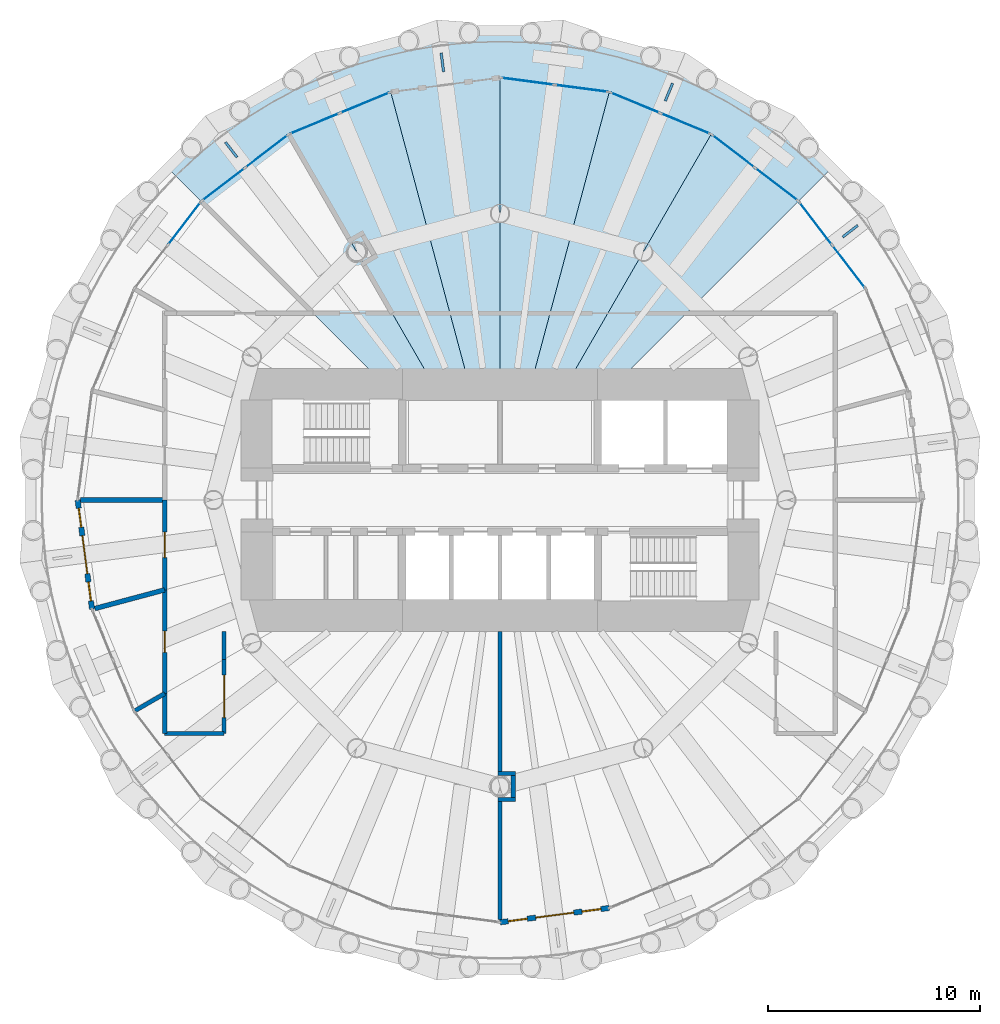
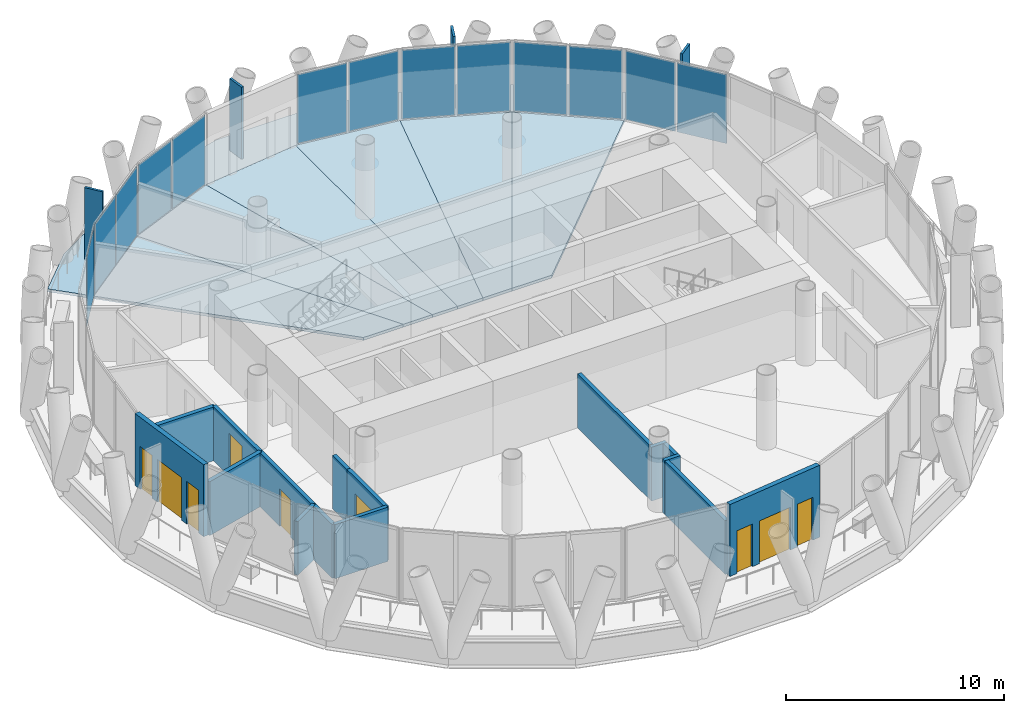
# One storey, part 9 of 16: 17 plates, 16 walls, 7 slabs, 5 doors, 4 windows, 9 openings, 7 elements without a shape of their own.
"""IFC4 building model written with IfcOpenShell, lengths in metres."""

from ifc_helpers import new_model, si_unit, direction, frame, frame_2d, origin, origin_2d, place, context, subcontext, project, spatial, polyline, rectangle, outline, extrude, material, layer, layer_set, type_object, element, fill, aggregate, save


model = new_model("IFC4")

# Units and contexts
model_context = context("Model", 3, precision=1e-05, world=origin(), true_north=direction((0.0, 1.0)))
body_context = subcontext(model_context, "Body", "Model", "MODEL_VIEW")
ifc_project = project(units=[si_unit("LENGTHUNIT", "METRE"), si_unit("AREAUNIT", "SQUARE_METRE"), si_unit("VOLUMEUNIT", "CUBIC_METRE"), si_unit("PLANEANGLEUNIT", "RADIAN"), si_unit("MASSUNIT", "GRAM", prefix="KILO")], contexts=[model_context])

# Site, building, storey
site_placement = place(None, origin())
site = spatial("IfcSite", under=ifc_project, at=site_placement, CompositionType="ELEMENT")
building_placement = place(site_placement, origin())
building = spatial("IfcBuilding", under=site, at=building_placement, Name="Qaws Media Tower", CompositionType="ELEMENT")
storey_placement = place(building_placement, frame((0.0, 0.0, 252.800048828125)))
storey = spatial("IfcBuildingStorey", under=building, at=storey_placement, Name="L58", CompositionType="ELEMENT", Elevation=252.800048828125)

# Slabs
ifc_material_1 = material(Name="Concrete C35/45", Category="concrete")
ifc_layer_1 = layer(ifc_material_1, 0.159912109375)
ifc_layer_set_1 = layer_set([ifc_layer_1], Name="Composite balcony slab 160")
slab_type_1 = type_object("IfcSlabType", Name="Composite balcony slab 160", PredefinedType="FLOOR", material=ifc_layer_set_1)
slab_1_placement = place(storey_placement, frame((0.0, 0.0, -0.16015625)))
element("IfcSlab", 1, at=slab_1_placement, inside=storey, type_object=slab_type_1, Name="S2 balcony slab L58 R04 to R10, movement joints on R04 and R10", PredefinedType="FLOOR", context=body_context, shape_type="SweptSolid", body=[
    extrude(outline(polyline([(46.424560546875, 67.69189453125), (51.46630859375, 70.6025390625), (57.08935546875, 72.109130859375), (62.91064453125, 72.109130859375), (68.53369140625, 70.6025390625), (73.575439453125, 67.69189453125), (75.633544921875, 65.633544921875), (74.0712890625, 64.0712890625), (69.949951171875, 67.23388671875), (65.150390625, 69.221923828125), (60.0, 69.89990234375), (54.849609375, 69.221923828125), (50.050048828125, 67.23388671875), (45.9287109375, 64.0712890625), (44.366455078125, 65.633544921875), (46.424560546875, 67.69189453125)])), origin(), (0.0, 0.0, 1.0), 0.16015625),
])
ifc_material_2 = material(Name="Concrete C35/45", Category="concrete")
ifc_layer_2 = layer(ifc_material_2, 0.159912109375)
ifc_layer_set_2 = layer_set([ifc_layer_2], Name="Composite floor slab 160")
slab_type_2 = type_object("IfcSlabType", Name="Composite floor slab 160", PredefinedType="FLOOR", material=ifc_layer_set_2)
slab_2_placement = place(storey_placement, frame((0.0, 0.0, -0.16015625)))
element("IfcSlab", 2, at=slab_2_placement, inside=storey, type_object=slab_type_2, Name="S1 floor panel L58 on R04+7.5", PredefinedType="FLOOR", context=body_context, shape_type="SweptSolid", body=[
    extrude(outline(polyline([(74.0712890625, 64.0712890625), (65.0, 55.0), (62.88671875, 55.0), (69.949951171875, 67.23388671875), (74.0712890625, 64.0712890625)])), origin(), (0.0, 0.0, 1.0), 0.16015625),
])
slab_3_placement = place(storey_placement, frame((0.0, 0.0, -0.16015625)))
element("IfcSlab", 3, at=slab_3_placement, inside=storey, type_object=slab_type_2, Name="S1 floor panel L58 on R05+7.5", PredefinedType="FLOOR", context=body_context, shape_type="SweptSolid", body=[
    extrude(outline(polyline([(69.949951171875, 67.23388671875), (62.88671875, 55.0), (61.339599609375, 55.0), (65.150390625, 69.221923828125), (69.949951171875, 67.23388671875)])), origin(), (0.0, 0.0, 1.0), 0.16015625),
])
slab_4_placement = place(storey_placement, frame((0.0, 0.0, -0.16015625)))
element("IfcSlab", 4, at=slab_4_placement, inside=storey, type_object=slab_type_2, Name="S1 floor panel L58 on R06+7.5", PredefinedType="FLOOR", context=body_context, shape_type="SweptSolid", body=[
    extrude(outline(polyline([(65.150390625, 69.221923828125), (61.339599609375, 55.0), (60.0, 55.0), (60.0, 69.89990234375), (65.150390625, 69.221923828125)])), origin(), (0.0, 0.0, 1.0), 0.16015625),
])
slab_5_placement = place(storey_placement, frame((0.0, 0.0, -0.16015625)))
element("IfcSlab", 5, at=slab_5_placement, inside=storey, type_object=slab_type_2, Name="S1 floor panel L58 on R07+7.5", PredefinedType="FLOOR", context=body_context, shape_type="SweptSolid", body=[
    extrude(outline(polyline([(54.849609375, 69.221923828125), (60.0, 69.89990234375), (60.0, 55.0), (58.660400390625, 55.0), (54.849609375, 69.221923828125)])), origin(), (0.0, 0.0, 1.0), 0.16015625),
])
slab_6_placement = place(storey_placement, frame((0.0, 0.0, -0.16015625)))
element("IfcSlab", 6, at=slab_6_placement, inside=storey, type_object=slab_type_2, Name="S1 floor panel L58 on R08+7.5", PredefinedType="FLOOR", context=body_context, shape_type="SweptSolid", body=[
    extrude(outline(polyline([(50.050048828125, 67.23388671875), (54.849609375, 69.221923828125), (58.660400390625, 55.0), (57.11328125, 55.0), (50.050048828125, 67.23388671875)])), origin(), (0.0, 0.0, 1.0), 0.16015625),
])
slab_7_placement = place(storey_placement, frame((0.0, 0.0, -0.16015625)))
element("IfcSlab", 7, at=slab_7_placement, inside=storey, type_object=slab_type_2, Name="S1 floor panel L58 on R09+7.5", PredefinedType="FLOOR", context=body_context, shape_type="SweptSolid", body=[
    extrude(outline(polyline([(50.050048828125, 67.23388671875), (57.11328125, 55.0), (55.0, 55.0), (45.9287109375, 64.0712890625), (50.050048828125, 67.23388671875)])), origin(), (0.0, 0.0, 1.0), 0.16015625),
])

# Curtain wall, plates
ifc_material_3 = material(Name="Aluminium and clear glass", Category="aluminium")
curtain_wall_type = type_object("IfcCurtainWallType", Name="Unitised curtain wall CW-C", PredefinedType="NOTDEFINED", material=ifc_material_3)
curtain_wall_1_placement = place(storey_placement, origin())
curtain_wall_1 = element("IfcCurtainWall", 8, at=curtain_wall_1_placement, inside=storey, type_object=curtain_wall_type, Name="CWC curtain wall L58-03", PredefinedType="NOTDEFINED")
ifc_material_4 = material(Name="Clear laminated double glazing", Category="glass")
ifc_layer_3 = layer(ifc_material_4, 0.031982421875)
ifc_layer_set_3 = layer_set([ifc_layer_3], Name="Curtain wall glass unit 32")
plate_type_1 = type_object("IfcPlateType", Name="Curtain wall glass unit 32", PredefinedType="CURTAIN_PANEL", material=ifc_layer_set_3)
plate_1_placement = place(storey_placement, frame((76.43115234375, 60.996337890625, 0.080078125), z_axis=(0.0, 0.0, 1.0), x_axis=(-0.608761473664, 0.793353306026, 0.0)))
plate_1 = element("IfcPlate", 9, at=plate_1_placement, type_object=plate_type_1, Name="CWC panel 1.1", PredefinedType="CURTAIN_PANEL", context=body_context, shape_type="SweptSolid", body=[
    extrude(rectangle(XDim=2.4775390625, YDim=0.031982421875, at=origin_2d()), origin(), (0.0, 0.0, 1.0), 3.8798828125),
])
plate_2_placement = place(storey_placement, frame((74.874267578125, 63.025146484375, 0.080078125), z_axis=(0.0, 0.0, 1.0), x_axis=(-0.608761473664, 0.793353306026, 0.0)))
plate_2 = element("IfcPlate", 10, at=plate_2_placement, type_object=plate_type_1, Name="CWC panel 2.1", PredefinedType="CURTAIN_PANEL", context=body_context, shape_type="SweptSolid", body=[
    extrude(rectangle(XDim=2.4775390625, YDim=0.031982421875, at=origin_2d()), origin(), (0.0, 0.0, 1.0), 3.8798828125),
])
aggregate(curtain_wall_1, [plate_1, plate_2])

curtain_wall_2_placement = place(storey_placement, origin())
curtain_wall_2 = element("IfcCurtainWall", 11, at=curtain_wall_2_placement, inside=storey, type_object=curtain_wall_type, Name="CWC curtain wall L58-04", PredefinedType="NOTDEFINED")
plate_3_placement = place(storey_placement, frame((73.025146484375, 64.874267578125, 0.080078125), z_axis=(0.0, 0.0, 1.0), x_axis=(-0.793353306026, 0.608761473664, 0.0)))
plate_3 = element("IfcPlate", 12, at=plate_3_placement, type_object=plate_type_1, Name="CWC panel 1.1", PredefinedType="CURTAIN_PANEL", context=body_context, shape_type="SweptSolid", body=[
    extrude(rectangle(XDim=2.4775390625, YDim=0.031982421875, at=origin_2d()), origin(), (0.0, 0.0, 1.0), 3.8798828125),
])
plate_4_placement = place(storey_placement, frame((70.996337890625, 66.43115234375, 0.080078125), z_axis=(0.0, 0.0, 1.0), x_axis=(-0.793353306026, 0.608761473664, 0.0)))
plate_4 = element("IfcPlate", 13, at=plate_4_placement, type_object=plate_type_1, Name="CWC panel 2.1", PredefinedType="CURTAIN_PANEL", context=body_context, shape_type="SweptSolid", body=[
    extrude(rectangle(XDim=2.4775390625, YDim=0.031982421875, at=origin_2d()), origin(), (0.0, 0.0, 1.0), 3.8798828125),
])
aggregate(curtain_wall_2, [plate_3, plate_4])

curtain_wall_3_placement = place(storey_placement, origin())
curtain_wall_3 = element("IfcCurtainWall", 14, at=curtain_wall_3_placement, inside=storey, type_object=curtain_wall_type, Name="CWC curtain wall L58-05", PredefinedType="NOTDEFINED")
plate_5_placement = place(storey_placement, frame((68.731689453125, 67.738525390625, 0.080078125), z_axis=(0.0, 0.0, 1.0), x_axis=(-0.923879560196, 0.382683365528, 0.0)))
plate_5 = element("IfcPlate", 15, at=plate_5_placement, type_object=plate_type_1, Name="CWC panel 1.1", PredefinedType="CURTAIN_PANEL", context=body_context, shape_type="SweptSolid", body=[
    extrude(rectangle(XDim=2.4775390625, YDim=0.031982421875, at=origin_2d()), origin(), (0.0, 0.0, 1.0), 3.8798828125),
])
plate_6_placement = place(storey_placement, frame((66.368896484375, 68.71728515625, 0.080078125), z_axis=(0.0, 0.0, 1.0), x_axis=(-0.923879560196, 0.382683365528, 0.0)))
plate_6 = element("IfcPlate", 16, at=plate_6_placement, type_object=plate_type_1, Name="CWC panel 2.1", PredefinedType="CURTAIN_PANEL", context=body_context, shape_type="SweptSolid", body=[
    extrude(rectangle(XDim=2.4775390625, YDim=0.031982421875, at=origin_2d()), origin(), (0.0, 0.0, 1.0), 3.8798828125),
])
aggregate(curtain_wall_3, [plate_5, plate_6])

curtain_wall_4_placement = place(storey_placement, origin())
curtain_wall_4 = element("IfcCurtainWall", 17, at=curtain_wall_4_placement, inside=storey, type_object=curtain_wall_type, Name="CWC curtain wall L58-06", PredefinedType="NOTDEFINED")
plate_7_placement = place(storey_placement, frame((63.843017578125, 69.39404296875, 0.080078125), z_axis=(0.0, 0.0, 1.0), x_axis=(-0.991444862798, 0.130526181405, 0.0)))
plate_7 = element("IfcPlate", 18, at=plate_7_placement, type_object=plate_type_1, Name="CWC panel 1.1", PredefinedType="CURTAIN_PANEL", context=body_context, shape_type="SweptSolid", body=[
    extrude(rectangle(XDim=2.4775390625, YDim=0.031982421875, at=origin_2d()), origin(), (0.0, 0.0, 1.0), 3.8798828125),
])
plate_8_placement = place(storey_placement, frame((61.307373046875, 69.727783203125, 0.080078125), z_axis=(0.0, 0.0, 1.0), x_axis=(-0.991444862798, 0.130526181405, 0.0)))
plate_8 = element("IfcPlate", 19, at=plate_8_placement, type_object=plate_type_1, Name="CWC panel 2.1", PredefinedType="CURTAIN_PANEL", context=body_context, shape_type="SweptSolid", body=[
    extrude(rectangle(XDim=2.4775390625, YDim=0.031982421875, at=origin_2d()), origin(), (0.0, 0.0, 1.0), 3.8798828125),
])
aggregate(curtain_wall_4, [plate_7, plate_8])

curtain_wall_5_placement = place(storey_placement, origin())
curtain_wall_5 = element("IfcCurtainWall", 20, at=curtain_wall_5_placement, inside=storey, type_object=curtain_wall_type, Name="CWC curtain wall L58-08", PredefinedType="NOTDEFINED")
plate_9_placement = place(storey_placement, frame((53.631103515625, 68.71728515625, 0.080078125), z_axis=(0.0, 0.0, 1.0), x_axis=(-0.923879560196, -0.382683365528, 0.0)))
plate_9 = element("IfcPlate", 21, at=plate_9_placement, type_object=plate_type_1, Name="CWC panel 1.1", PredefinedType="CURTAIN_PANEL", context=body_context, shape_type="SweptSolid", body=[
    extrude(rectangle(XDim=2.4775390625, YDim=0.031982421875, at=origin_2d()), origin(), (0.0, 0.0, 1.0), 3.8798828125),
])
plate_10_placement = place(storey_placement, frame((51.268310546875, 67.738525390625, 0.080078125), z_axis=(0.0, 0.0, 1.0), x_axis=(-0.923879560196, -0.382683365528, 0.0)))
plate_10 = element("IfcPlate", 22, at=plate_10_placement, type_object=plate_type_1, Name="CWC panel 2.1", PredefinedType="CURTAIN_PANEL", context=body_context, shape_type="SweptSolid", body=[
    extrude(rectangle(XDim=2.4775390625, YDim=0.031982421875, at=origin_2d()), origin(), (0.0, 0.0, 1.0), 3.8798828125),
])
aggregate(curtain_wall_5, [plate_9, plate_10])

curtain_wall_6_placement = place(storey_placement, origin())
curtain_wall_6 = element("IfcCurtainWall", 23, at=curtain_wall_6_placement, inside=storey, type_object=curtain_wall_type, Name="CWC curtain wall L58-09", PredefinedType="NOTDEFINED")
plate_11_placement = place(storey_placement, frame((49.003662109375, 66.43115234375, 0.080078125), z_axis=(0.0, 0.0, 1.0), x_axis=(-0.793353306026, -0.608761473664, 0.0)))
plate_11 = element("IfcPlate", 24, at=plate_11_placement, type_object=plate_type_1, Name="CWC panel 1.1", PredefinedType="CURTAIN_PANEL", context=body_context, shape_type="SweptSolid", body=[
    extrude(rectangle(XDim=2.4775390625, YDim=0.031982421875, at=origin_2d()), origin(), (0.0, 0.0, 1.0), 3.8798828125),
])
plate_12_placement = place(storey_placement, frame((46.974853515625, 64.874267578125, 0.080078125), z_axis=(0.0, 0.0, 1.0), x_axis=(-0.793353306026, -0.608761473664, 0.0)))
plate_12 = element("IfcPlate", 25, at=plate_12_placement, type_object=plate_type_1, Name="CWC panel 2.1", PredefinedType="CURTAIN_PANEL", context=body_context, shape_type="SweptSolid", body=[
    extrude(rectangle(XDim=2.4775390625, YDim=0.031982421875, at=origin_2d()), origin(), (0.0, 0.0, 1.0), 3.8798828125),
])
aggregate(curtain_wall_6, [plate_11, plate_12])

# Curtain wall, plate
curtain_wall_7_placement = place(storey_placement, origin())
curtain_wall_7 = element("IfcCurtainWall", 26, at=curtain_wall_7_placement, inside=storey, type_object=curtain_wall_type, Name="CWC curtain wall L58-10", PredefinedType="NOTDEFINED")
plate_13_placement = place(storey_placement, frame((45.125732421875, 63.025146484375, 0.080078125), z_axis=(0.0, 0.0, 1.0), x_axis=(-0.608761473664, -0.793353306026, 0.0)))
plate_13 = element("IfcPlate", 27, at=plate_13_placement, type_object=plate_type_1, Name="CWC panel 1.1", PredefinedType="CURTAIN_PANEL", context=body_context, shape_type="SweptSolid", body=[
    extrude(rectangle(XDim=2.4775390625, YDim=0.031982421875, at=origin_2d()), origin(), (0.0, 0.0, 1.0), 3.8798828125),
])
aggregate(curtain_wall_7, [plate_13])

# Plates
ifc_material_5 = material(Name="Precast concrete screen fin", Category="concrete")
ifc_layer_4 = layer(ifc_material_5, 0.1201171875)
ifc_layer_set_4 = layer_set([ifc_layer_4], Name="Screen fin 120x900")
plate_type_2 = type_object("IfcPlateType", Name="Screen fin 120x900", PredefinedType="USERDEFINED", material=ifc_layer_set_4)
for number, where, z_axis, x_axis, name in (
    (28, (76.501708984375, 62.662353515625, 0.0), (0.0, 0.0, 1.0), (0.793353340291, 0.608761429009, 0.0), "SCR1 screen fin L58-02"),
    (29, (67.959716796875, 69.216796875, 0.0), (0.0, 0.0, 1.0), (0.382683432365, 0.923879532511, 0.0), "SCR1 screen fin L58-03"),
    (30, (57.28515625, 70.6220703125, 0.0), (0.0, 0.0, 1.0), (-0.13052619222, 0.991444861374, 0.0), "SCR1 screen fin L58-04"),
    (31, (47.337646484375, 66.501708984375, 0.0), (0.0, 0.0, 1.0), (-0.608761429009, 0.793353340291, 0.0), "SCR1 screen fin L58-05"),
):
    element("IfcPlate", number, at=place(storey_placement, frame(where, z_axis=z_axis, x_axis=x_axis)), inside=storey, type_object=plate_type_2, Name=name, ObjectType="SCREEN", PredefinedType="USERDEFINED", context=body_context, shape_type="SweptSolid", body=[
        extrude(rectangle(XDim=0.89990234375, YDim=0.1201171875, at=origin_2d()), origin(), (0.0, 0.0, 1.0), 4.0400390625),
    ])

# Walls
ifc_material_6 = material(Name="Twin metal stud frames, two layers gypsum board each side, insulated, Rw 55", Category="gypsum")
ifc_layer_5 = layer(ifc_material_6, 0.22509765625)
ifc_layer_set_5 = layer_set([ifc_layer_5], Name="Acoustic twin-stud partition 225 Rw 55")
wall_type_1 = type_object("IfcWallType", Name="Acoustic twin-stud partition 225 Rw 55", PredefinedType="PARTITIONING", material=ifc_layer_set_5)
wall_1_placement = place(storey_placement, frame((44.199951171875, 50.0, 0.0), z_axis=(0.0, 0.0, 1.0), x_axis=(-1.0, 0.0, 0.0)))
element("IfcWall", 32, at=wall_1_placement, inside=storey, type_object=wall_type_1, Name="W090 IW6 partition L58", PredefinedType="PARTITIONING", context=body_context, shape_type="SweptSolid", body=[
    extrude(rectangle(XDim=3.9599609375, YDim=0.22509765625, at=frame_2d((1.97998046875, 0.0))), origin(), (0.0, 0.0, 1.0), 3.02001953125),
])
wall_2_placement = place(storey_placement, frame((44.197509765625, 45.765625, 0.0), z_axis=(0.0, 0.0, 1.0), x_axis=(-0.965933949521, -0.258788726886, 0.0)))
element("IfcWall", 33, at=wall_2_placement, inside=storey, type_object=wall_type_1, Name="W089 IW6 partition L58", PredefinedType="PARTITIONING", context=body_context, shape_type="SweptSolid", body=[
    extrude(rectangle(XDim=3.39990234375, YDim=0.22509765625, at=frame_2d((1.699951171875, 0.0))), origin(), (0.0, 0.0, 1.0), 3.02001953125),
])

# Wall, openings, door, windows
ifc_material_7 = material(Name="Precast concrete, exposed finish", Category="concrete")
ifc_layer_6 = layer(ifc_material_7, 0.25)
ifc_layer_set_6 = layer_set([ifc_layer_6], Name="Balcony door wall 250")
wall_type_2 = type_object("IfcWallType", Name="Balcony door wall 250", PredefinedType="SOLIDWALL", material=ifc_layer_set_6)
wall_3_placement = place(storey_placement, frame((40.10009765625, 50.0, 0.0), z_axis=(0.0, 0.0, 1.0), x_axis=(0.130510435174, -0.991446935701, 0.0)))
wall_3 = element("IfcWall", 34, at=wall_3_placement, inside=storey, type_object=wall_type_2, Name="W268 EW1 balcony door wall L58-13", PredefinedType="SOLIDWALL", context=body_context, shape_type="SweptSolid", body=[
    extrude(rectangle(XDim=5.19482421875, YDim=0.25, at=frame_2d((2.597412109375, 0.0))), origin(), (0.0, 0.0, 1.0), 4.0400390625),
])
opening_1_placement = place(wall_3_placement, frame((1.697509765625, 0.0, 0.0)))
opening_1 = element("IfcOpeningElement", 35, at=opening_1_placement, cuts=wall_3, Name="Opening D7", PredefinedType="OPENING", context=body_context, shape_type="SweptSolid", body=[
    extrude(rectangle(XDim=1.800048828125, YDim=2.39990234375, at=frame_2d((0.89990234375, 1.199951171875))), frame((0.0, 0.135009765625, 0.0), z_axis=(0.0, -1.0, 0.0), x_axis=(1.0, 0.0, 0.0)), (0.0, 0.0, 1.0), 0.27001953125),
])
opening_2_placement = place(wall_3_placement, frame((0.3974609375, 0.0, 0.0)))
opening_2 = element("IfcOpeningElement", 36, at=opening_2_placement, cuts=wall_3, Name="Opening W7", PredefinedType="OPENING", context=body_context, shape_type="SweptSolid", body=[
    extrude(rectangle(XDim=0.89990234375, YDim=2.39990234375, at=frame_2d((0.449951171875, 1.199951171875))), frame((0.0, 0.135009765625, 0.0), z_axis=(0.0, -1.0, 0.0), x_axis=(1.0, 0.0, 0.0)), (0.0, 0.0, 1.0), 0.27001953125),
])
opening_3_placement = place(wall_3_placement, frame((3.8974609375, 0.0, 0.0)))
opening_3 = element("IfcOpeningElement", 37, at=opening_3_placement, cuts=wall_3, Name="Opening W7", PredefinedType="OPENING", context=body_context, shape_type="SweptSolid", body=[
    extrude(rectangle(XDim=0.89990234375, YDim=2.39990234375, at=frame_2d((0.449951171875, 1.199951171875))), frame((0.0, 0.135009765625, 0.0), z_axis=(0.0, -1.0, 0.0), x_axis=(1.0, 0.0, 0.0)), (0.0, 0.0, 1.0), 0.27001953125),
])
ifc_material_8 = material(Name="Aluminium and clear glass", Category="aluminium")
door_type_1 = type_object("IfcDoorType", Name="Balcony door pair 1800", OperationType="DOUBLE_DOOR_SLIDING", PredefinedType="DOOR", material=ifc_material_8)
door_1_placement = place(opening_1_placement, origin())
door_1 = element("IfcDoor", 38, at=door_1_placement, inside=storey, type_object=door_type_1, Name="D7 balcony door L58-13 in wall W268", OperationType="DOUBLE_DOOR_SLIDING", OverallHeight=2.39990234375, OverallWidth=1.800048828125, PredefinedType="DOOR", context=body_context, shape_type="SweptSolid", body=[
    extrude(rectangle(XDim=1.800048828125, YDim=2.39990234375, at=frame_2d((0.89990234375, 1.199951171875))), frame((0.0, 0.02490234375, 0.0), z_axis=(0.0, -1.0, 0.0), x_axis=(1.0, 0.0, 0.0)), (0.0, 0.0, 1.0), 0.050048828125),
])
fill(opening_1, door_1)
ifc_material_9 = material(Name="Aluminium and clear glass", Category="aluminium")
window_type = type_object("IfcWindowType", Name="Balcony side window 900", PartitioningType="SINGLE_PANEL", PredefinedType="WINDOW", material=ifc_material_9)
window_1_placement = place(opening_2_placement, origin())
window_1 = element("IfcWindow", 39, at=window_1_placement, inside=storey, type_object=window_type, Name="W1 balcony side light L58-13L", OverallHeight=2.39990234375, OverallWidth=0.89990234375, PartitioningType="SINGLE_PANEL", PredefinedType="WINDOW", context=body_context, shape_type="SweptSolid", body=[
    extrude(rectangle(XDim=0.89990234375, YDim=2.39990234375, at=frame_2d((0.449951171875, 1.199951171875))), frame((0.0, 0.030029296875, 0.0), z_axis=(0.0, -1.0, 0.0), x_axis=(1.0, 0.0, 0.0)), (0.0, 0.0, 1.0), 0.06005859375),
])
fill(opening_2, window_1)
window_2_placement = place(opening_3_placement, origin())
window_2 = element("IfcWindow", 40, at=window_2_placement, inside=storey, type_object=window_type, Name="W1 balcony side light L58-13R", OverallHeight=2.39990234375, OverallWidth=0.89990234375, PartitioningType="SINGLE_PANEL", PredefinedType="WINDOW", context=body_context, shape_type="SweptSolid", body=[
    extrude(rectangle(XDim=0.89990234375, YDim=2.39990234375, at=frame_2d((0.449951171875, 1.199951171875))), frame((0.0, 0.030029296875, 0.0), z_axis=(0.0, -1.0, 0.0), x_axis=(1.0, 0.0, 0.0)), (0.0, 0.0, 1.0), 0.06005859375),
])
fill(opening_3, window_2)

wall_4_placement = place(storey_placement, frame((60.0, 30.10009765625, 0.0), z_axis=(0.0, 0.0, 1.0), x_axis=(0.991446935701, 0.130510435174, 0.0)))
wall_4 = element("IfcWall", 41, at=wall_4_placement, inside=storey, type_object=wall_type_2, Name="W269 EW1 balcony door wall L58-19", PredefinedType="SOLIDWALL", context=body_context, shape_type="SweptSolid", body=[
    extrude(rectangle(XDim=5.19482421875, YDim=0.25, at=frame_2d((2.597412109375, 0.0))), origin(), (0.0, 0.0, 1.0), 4.0400390625),
])
opening_4_placement = place(wall_4_placement, frame((1.697509765625, 0.0, 0.0)))
opening_4 = element("IfcOpeningElement", 42, at=opening_4_placement, cuts=wall_4, Name="Opening D7", PredefinedType="OPENING", context=body_context, shape_type="SweptSolid", body=[
    extrude(rectangle(XDim=1.800048828125, YDim=2.39990234375, at=frame_2d((0.89990234375, 1.199951171875))), frame((0.0, 0.135009765625, 0.0), z_axis=(0.0, -1.0, 0.0), x_axis=(1.0, 0.0, 0.0)), (0.0, 0.0, 1.0), 0.27001953125),
])
opening_5_placement = place(wall_4_placement, frame((0.3974609375, 0.0, 0.0)))
opening_5 = element("IfcOpeningElement", 43, at=opening_5_placement, cuts=wall_4, Name="Opening W7", PredefinedType="OPENING", context=body_context, shape_type="SweptSolid", body=[
    extrude(rectangle(XDim=0.89990234375, YDim=2.39990234375, at=frame_2d((0.449951171875, 1.199951171875))), frame((0.0, 0.135009765625, 0.0), z_axis=(0.0, -1.0, 0.0), x_axis=(1.0, 0.0, 0.0)), (0.0, 0.0, 1.0), 0.27001953125),
])
opening_6_placement = place(wall_4_placement, frame((3.8974609375, 0.0, 0.0)))
opening_6 = element("IfcOpeningElement", 44, at=opening_6_placement, cuts=wall_4, Name="Opening W7", PredefinedType="OPENING", context=body_context, shape_type="SweptSolid", body=[
    extrude(rectangle(XDim=0.89990234375, YDim=2.39990234375, at=frame_2d((0.449951171875, 1.199951171875))), frame((0.0, 0.135009765625, 0.0), z_axis=(0.0, -1.0, 0.0), x_axis=(1.0, 0.0, 0.0)), (0.0, 0.0, 1.0), 0.27001953125),
])
door_2_placement = place(opening_4_placement, origin())
door_2 = element("IfcDoor", 45, at=door_2_placement, inside=storey, type_object=door_type_1, Name="D7 balcony door L58-19 in wall W269", OperationType="DOUBLE_DOOR_SLIDING", OverallHeight=2.39990234375, OverallWidth=1.800048828125, PredefinedType="DOOR", context=body_context, shape_type="SweptSolid", body=[
    extrude(rectangle(XDim=1.800048828125, YDim=2.39990234375, at=frame_2d((0.89990234375, 1.199951171875))), frame((0.0, 0.02490234375, 0.0), z_axis=(0.0, -1.0, 0.0), x_axis=(1.0, 0.0, 0.0)), (0.0, 0.0, 1.0), 0.050048828125),
])
fill(opening_4, door_2)
window_3_placement = place(opening_5_placement, origin())
window_3 = element("IfcWindow", 46, at=window_3_placement, inside=storey, type_object=window_type, Name="W1 balcony side light L58-19L", OverallHeight=2.39990234375, OverallWidth=0.89990234375, PartitioningType="SINGLE_PANEL", PredefinedType="WINDOW", context=body_context, shape_type="SweptSolid", body=[
    extrude(rectangle(XDim=0.89990234375, YDim=2.39990234375, at=frame_2d((0.449951171875, 1.199951171875))), frame((0.0, 0.030029296875, 0.0), z_axis=(0.0, -1.0, 0.0), x_axis=(1.0, 0.0, 0.0)), (0.0, 0.0, 1.0), 0.06005859375),
])
fill(opening_5, window_3)
window_4_placement = place(opening_6_placement, origin())
window_4 = element("IfcWindow", 47, at=window_4_placement, inside=storey, type_object=window_type, Name="W1 balcony side light L58-19R", OverallHeight=2.39990234375, OverallWidth=0.89990234375, PartitioningType="SINGLE_PANEL", PredefinedType="WINDOW", context=body_context, shape_type="SweptSolid", body=[
    extrude(rectangle(XDim=0.89990234375, YDim=2.39990234375, at=frame_2d((0.449951171875, 1.199951171875))), frame((0.0, 0.030029296875, 0.0), z_axis=(0.0, -1.0, 0.0), x_axis=(1.0, 0.0, 0.0)), (0.0, 0.0, 1.0), 0.06005859375),
])
fill(opening_6, window_4)

# Wall
ifc_material_10 = material(Name="Gypsum board on galvanised metal studs, acoustic double stud, deflection head", Category="gypsum")
ifc_layer_7 = layer(ifc_material_10, 0.199951171875)
ifc_layer_set_7 = layer_set([ifc_layer_7], Name="Room partition 200")
wall_type_3 = type_object("IfcWallType", Name="Room partition 200", PredefinedType="PARTITIONING", material=ifc_layer_set_7)
wall_5_placement = place(storey_placement, frame((47.0, 43.800048828125, 0.0), z_axis=(0.0, 0.0, 1.0), x_axis=(0.0, -1.0, 0.0)))
element("IfcWall", 48, at=wall_5_placement, inside=storey, type_object=wall_type_3, Name="W1600 IW3 partition L58", PredefinedType="PARTITIONING", context=body_context, shape_type="SweptSolid", body=[
    extrude(rectangle(XDim=1.3056640625, YDim=0.199951171875, at=frame_2d((0.65283203125, 0.0))), origin(), (0.0, 0.0, 1.0), 3.02001953125),
])

# Wall, opening, door
wall_6_placement = place(storey_placement, frame((47.0, 42.494384765625, 0.0), z_axis=(0.0, 0.0, 1.0), x_axis=(0.0, -1.0, 0.0)))
wall_6 = element("IfcWall", 49, at=wall_6_placement, inside=storey, type_object=wall_type_3, Name="W1599 IW3 partition L58", PredefinedType="PARTITIONING", context=body_context, shape_type="SweptSolid", body=[
    extrude(rectangle(XDim=3.494384765625, YDim=0.199951171875, at=frame_2d((1.7470703125, 0.0))), origin(), (0.0, 0.0, 1.0), 3.02001953125),
])
opening_7_placement = place(wall_6_placement, frame((0.747314453125, 0.0, 0.0)))
opening_7 = element("IfcOpeningElement", 50, at=opening_7_placement, cuts=wall_6, Name="Opening D6", PredefinedType="OPENING", context=body_context, shape_type="SweptSolid", body=[
    extrude(rectangle(XDim=2.0, YDim=2.10009765625, at=frame_2d((1.0, 1.050048828125))), frame((0.0, 0.10986328125, 0.0), z_axis=(0.0, -1.0, 0.0), x_axis=(1.0, 0.0, 0.0)), (0.0, 0.0, 1.0), 0.219970703125),
])
ifc_material_11 = material(Name="Steel, acoustic, fire rated", Category="steel")
door_type_2 = type_object("IfcDoorType", Name="Room door pair 2000", OperationType="DOUBLE_DOOR_DOUBLE_SWING", PredefinedType="DOOR", material=ifc_material_11)
door_3_placement = place(opening_7_placement, origin())
door_3 = element("IfcDoor", 51, at=door_3_placement, inside=storey, type_object=door_type_2, Name="D6 Bureau newsroom door L58 in wall W1599", OperationType="DOUBLE_DOOR_DOUBLE_SWING", OverallHeight=2.10009765625, OverallWidth=2.0, PredefinedType="DOOR", context=body_context, shape_type="SweptSolid", body=[
    extrude(rectangle(XDim=2.0, YDim=2.10009765625, at=frame_2d((1.0, 1.050048828125))), frame((0.0, 0.02490234375, 0.0), z_axis=(0.0, -1.0, 0.0), x_axis=(1.0, 0.0, 0.0)), (0.0, 0.0, 1.0), 0.050048828125),
])
fill(opening_7, door_3)

# Walls
wall_7_placement = place(storey_placement, frame((47.0, 39.0, 0.0), z_axis=(0.0, 0.0, 1.0), x_axis=(-1.0, 0.0, 0.0)))
element("IfcWall", 52, at=wall_7_placement, inside=storey, type_object=wall_type_3, Name="W1222 IW3 partition L58", PredefinedType="PARTITIONING", context=body_context, shape_type="SweptSolid", body=[
    extrude(rectangle(XDim=2.800048828125, YDim=0.199951171875, at=frame_2d((1.39990234375, 0.0))), origin(), (0.0, 0.0, 1.0), 3.0400390625),
])
wall_8_placement = place(storey_placement, frame((44.199951171875, 39.0, 0.0), z_axis=(0.0, 0.0, 1.0), x_axis=(0.0, 1.0, 0.0)))
element("IfcWall", 53, at=wall_8_placement, inside=storey, type_object=wall_type_3, Name="W1610 IW3 partition L58", PredefinedType="PARTITIONING", context=body_context, shape_type="SweptSolid", body=[
    extrude(rectangle(XDim=1.8779296875, YDim=0.199951171875, at=frame_2d((0.93896484375, 0.0))), origin(), (0.0, 0.0, 1.0), 3.02001953125),
])

# Wall, opening, door
wall_9_placement = place(storey_placement, frame((44.199951171875, 40.8779296875, 0.0), z_axis=(0.0, 0.0, 1.0), x_axis=(0.0, 1.0, 0.0)))
wall_9 = element("IfcWall", 54, at=wall_9_placement, inside=storey, type_object=wall_type_3, Name="W1645 IW3 partition L58", PredefinedType="PARTITIONING", context=body_context, shape_type="SweptSolid", body=[
    extrude(rectangle(XDim=4.888427734375, YDim=0.199951171875, at=frame_2d((2.4443359375, 0.0))), origin(), (0.0, 0.0, 1.0), 3.02001953125),
])
opening_8_placement = place(wall_9_placement, frame((1.9443359375, 0.0, 0.0)))
opening_8 = element("IfcOpeningElement", 55, at=opening_8_placement, cuts=wall_9, Name="Opening D5", PredefinedType="OPENING", context=body_context, shape_type="SweptSolid", body=[
    extrude(rectangle(XDim=1.0, YDim=2.10009765625, at=frame_2d((0.5, 1.050048828125))), frame((0.0, 0.10986328125, 0.0), z_axis=(0.0, -1.0, 0.0), x_axis=(1.0, 0.0, 0.0)), (0.0, 0.0, 1.0), 0.219970703125),
])
ifc_material_12 = material(Name="Timber veneered, acoustic seal", Category="wood")
door_type_3 = type_object("IfcDoorType", Name="Room door 1000", OperationType="SINGLE_SWING_LEFT", PredefinedType="DOOR", material=ifc_material_12)
door_4_placement = place(opening_8_placement, origin())
door_4 = element("IfcDoor", 56, at=door_4_placement, inside=storey, type_object=door_type_3, Name="D5 Edit room door L58 in wall W1645", OperationType="SINGLE_SWING_LEFT", OverallHeight=2.10009765625, OverallWidth=1.0, PredefinedType="DOOR", context=body_context, shape_type="SweptSolid", body=[
    extrude(rectangle(XDim=1.0, YDim=2.10009765625, at=frame_2d((0.5, 1.050048828125))), frame((0.0, 0.02490234375, 0.0), z_axis=(0.0, -1.0, 0.0), x_axis=(1.0, 0.0, 0.0)), (0.0, 0.0, 1.0), 0.050048828125),
])
fill(opening_8, door_4)

wall_10_placement = place(storey_placement, frame((44.199951171875, 45.766357421875, 0.0), z_axis=(0.0, 0.0, 1.0), x_axis=(0.0, 1.0, 0.0)))
wall_10 = element("IfcWall", 57, at=wall_10_placement, inside=storey, type_object=wall_type_3, Name="W1646 IW3 partition L58", PredefinedType="PARTITIONING", context=body_context, shape_type="SweptSolid", body=[
    extrude(rectangle(XDim=4.233642578125, YDim=0.199951171875, at=frame_2d((2.11669921875, 0.0))), origin(), (0.0, 0.0, 1.0), 3.02001953125),
])
opening_9_placement = place(wall_10_placement, frame((1.516845703125, 0.0, 0.0)))
opening_9 = element("IfcOpeningElement", 58, at=opening_9_placement, cuts=wall_10, Name="Opening D14", PredefinedType="OPENING", context=body_context, shape_type="SweptSolid", body=[
    extrude(rectangle(XDim=1.199951171875, YDim=2.39990234375, at=frame_2d((0.60009765625, 1.199951171875))), frame((0.0, 0.10986328125, 0.0), z_axis=(0.0, -1.0, 0.0), x_axis=(1.0, 0.0, 0.0)), (0.0, 0.0, 1.0), 0.219970703125),
])
ifc_material_13 = material(Name="Steel acoustic door set, Rw 45", Category="steel")
door_type_4 = type_object("IfcDoorType", Name="Acoustic door 1200x2400 Rw 45", OperationType="SINGLE_SWING_LEFT", PredefinedType="DOOR", material=ifc_material_13)
door_5_placement = place(opening_9_placement, origin())
door_5 = element("IfcDoor", 59, at=door_5_placement, inside=storey, type_object=door_type_4, Name="D14 Broadcast booth door L58 in wall W1646", OperationType="SINGLE_SWING_LEFT", OverallHeight=2.39990234375, OverallWidth=1.199951171875, PredefinedType="DOOR", context=body_context, shape_type="SweptSolid", body=[
    extrude(rectangle(XDim=1.199951171875, YDim=2.39990234375, at=frame_2d((0.60009765625, 1.199951171875))), frame((0.0, 0.02490234375, 0.0), z_axis=(0.0, -1.0, 0.0), x_axis=(1.0, 0.0, 0.0)), (0.0, 0.0, 1.0), 0.050048828125),
])
fill(opening_9, door_5)

# Walls
wall_11_placement = place(storey_placement, frame((44.20361328125, 40.8798828125, 0.0), z_axis=(0.0, 0.0, 1.0), x_axis=(-0.866055074793, -0.499948604784, 0.0)))
element("IfcWall", 60, at=wall_11_placement, inside=storey, type_object=wall_type_3, Name="W1691 IW3 partition L58", PredefinedType="PARTITIONING", context=body_context, shape_type="SweptSolid", body=[
    extrude(rectangle(XDim=1.619873046875, YDim=0.199951171875, at=frame_2d((0.81005859375, 0.0))), origin(), (0.0, 0.0, 1.0), 3.02001953125),
])
for number, where, z_axis, x_axis, name in (
    (61, (59.89990234375, 37.116943359375, 0.0), (0.0, 0.0, 1.0), (1.0, 0.0, 0.0), "W1572 IW3 partition return L58"),
    (62, (59.89990234375, 35.883056640625, 0.0), (0.0, 0.0, 1.0), (1.0, 0.0, 0.0), "W1571 IW3 partition return L58"),
):
    element("IfcWall", number, at=place(storey_placement, frame(where, z_axis=z_axis, x_axis=x_axis)), inside=storey, type_object=wall_type_3, Name=name, PredefinedType="PARTITIONING", context=body_context, shape_type="SweptSolid", body=[
        extrude(rectangle(XDim=0.8271484375, YDim=0.199951171875, at=frame_2d((0.41357421875, 0.0))), origin(), (0.0, 0.0, 1.0), 3.02001953125),
    ])
wall_12_placement = place(storey_placement, frame((60.626953125, 37.01708984375, 0.0), z_axis=(0.0, 0.0, 1.0), x_axis=(0.0, -1.0, 0.0)))
element("IfcWall", 63, at=wall_12_placement, inside=storey, type_object=wall_type_3, Name="W1575 IW3 partition return L58", PredefinedType="PARTITIONING", context=body_context, shape_type="SweptSolid", body=[
    extrude(rectangle(XDim=1.0341796875, YDim=0.199951171875, at=frame_2d((0.51708984375, 0.0))), origin(), (0.0, 0.0, 1.0), 3.02001953125),
])
wall_13_placement = place(storey_placement, frame((60.0, 43.800048828125, 0.0), z_axis=(0.0, 0.0, 1.0), x_axis=(0.0, -1.0, 0.0)))
element("IfcWall", 64, at=wall_13_placement, inside=storey, type_object=wall_type_3, Name="W1540 IW3 partition L58", PredefinedType="PARTITIONING", context=body_context, shape_type="SweptSolid", body=[
    extrude(rectangle(XDim=6.5830078125, YDim=0.199951171875, at=frame_2d((3.29150390625, 0.0))), origin(), (0.0, 0.0, 1.0), 3.0400390625),
])
wall_14_placement = place(storey_placement, frame((60.0, 35.782958984375, 0.0), z_axis=(0.0, 0.0, 1.0), x_axis=(0.0, -1.0, 0.0)))
element("IfcWall", 65, at=wall_14_placement, inside=storey, type_object=wall_type_3, Name="W1694 IW3 partition L58", PredefinedType="PARTITIONING", context=body_context, shape_type="SweptSolid", body=[
    extrude(rectangle(XDim=5.54296875, YDim=0.199951171875, at=frame_2d((2.771484375, 0.0))), origin(), (0.0, 0.0, 1.0), 3.02001953125),
])

save(model, "model.ifc")
